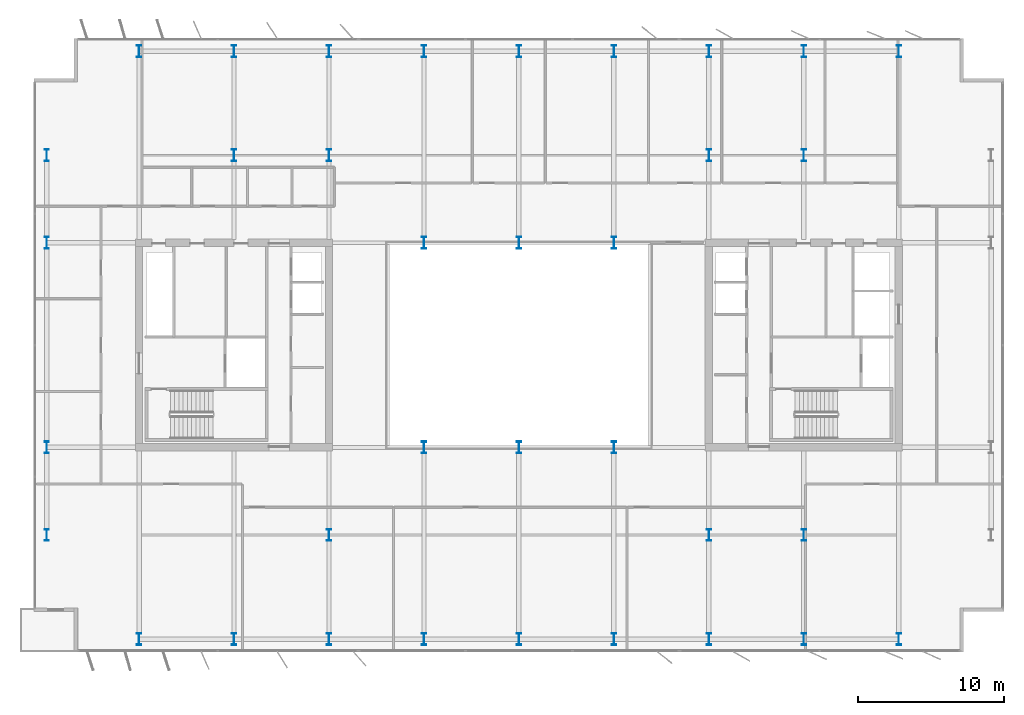
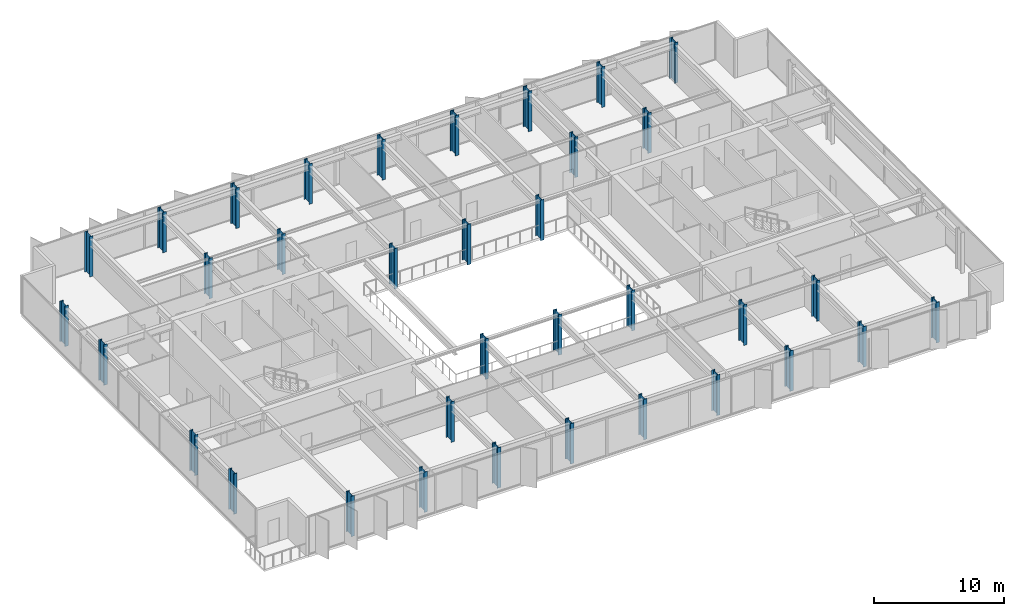
# One storey, part 1 of 23: 35 columns.
"""IFC4 building model written with IfcOpenShell, lengths in metres."""

from ifc_helpers import new_model, si_unit, direction, frame, origin, origin_2d, place, context, subcontext, project, spatial, i_section, extrude, material, material_profile, profile_set, type_object, element, save


model = new_model("IFC4")

# Units and contexts
model_context = context("Model", 3, precision=1e-05, world=origin(), true_north=direction((0.0, 1.0)))
body_context = subcontext(model_context, "Body", "Model", "MODEL_VIEW")
ifc_project = project(units=[si_unit("LENGTHUNIT", "METRE"), si_unit("AREAUNIT", "SQUARE_METRE"), si_unit("VOLUMEUNIT", "CUBIC_METRE"), si_unit("PLANEANGLEUNIT", "RADIAN"), si_unit("MASSUNIT", "GRAM", prefix="KILO")], contexts=[model_context])

# Site, building, storey
site_placement = place(None, origin())
site = spatial("IfcSite", under=ifc_project, at=site_placement, CompositionType="ELEMENT")
building_placement = place(site_placement, origin())
building = spatial("IfcBuilding", under=site, at=building_placement, Name="Putna Gate Headquarters", CompositionType="ELEMENT")
storey_placement = place(building_placement, frame((0.0, 0.0, 229.0)))
storey = spatial("IfcBuildingStorey", under=building, at=storey_placement, Name="L57", CompositionType="ELEMENT", Elevation=229.0)

# Columns
ifc_material = material(Name="Steel S460M", Category="steel")
ifc_material_profile_1 = material_profile(ifc_material, i_section(OverallWidth=0.302978515625, OverallDepth=0.81396484375, WebThickness=0.02099609375, FlangeThickness=0.0400390625, at=origin_2d()), Name="Steel S460M")
ifc_profile_set_1 = profile_set([ifc_material_profile_1], Name="Steel S460M")
column_type_1 = type_object("IfcColumnType", Name="COL-STL-HEM800-EXT", PredefinedType="COLUMN", material=ifc_profile_set_1)
for number, where, z_axis, x_axis, name in (
    (1, (13.0, 5.8798828125, 0.0), (0.0, 0.0, 1.0), (1.0, 0.0, 0.0), "L57 Column CP-S13"),
    (2, (13.0, 46.1201171875, 0.0), (0.0, 0.0, 1.0), (1.0, 0.0, 0.0), "L57 Column CP-N13"),
    (3, (19.5, 5.8798828125, 0.0), (0.0, 0.0, 1.0), (1.0, 0.0, 0.0), "L57 Column CP-S19"),
    (4, (19.5, 46.1201171875, 0.0), (0.0, 0.0, 1.0), (1.0, 0.0, 0.0), "L57 Column CP-N19"),
    (5, (26.0, 5.8798828125, 0.0), (0.0, 0.0, 1.0), (1.0, 0.0, 0.0), "L57 Column CP-S26"),
    (6, (26.0, 46.1201171875, 0.0), (0.0, 0.0, 1.0), (1.0, 0.0, 0.0), "L57 Column CP-N26"),
    (7, (32.5, 5.8798828125, 0.0), (0.0, 0.0, 1.0), (1.0, 0.0, 0.0), "L57 Column CP-S32"),
    (8, (32.5, 46.1201171875, 0.0), (0.0, 0.0, 1.0), (1.0, 0.0, 0.0), "L57 Column CP-N32"),
    (9, (39.0, 5.8798828125, 0.0), (0.0, 0.0, 1.0), (1.0, 0.0, 0.0), "L57 Column CP-S39"),
    (10, (39.0, 46.1201171875, 0.0), (0.0, 0.0, 1.0), (1.0, 0.0, 0.0), "L57 Column CP-N39"),
    (11, (45.5, 5.8798828125, 0.0), (0.0, 0.0, 1.0), (1.0, 0.0, 0.0), "L57 Column CP-S45"),
    (12, (45.5, 46.1201171875, 0.0), (0.0, 0.0, 1.0), (1.0, 0.0, 0.0), "L57 Column CP-N45"),
    (13, (52.0, 5.8798828125, 0.0), (0.0, 0.0, 1.0), (1.0, 0.0, 0.0), "L57 Column CP-S52"),
    (14, (52.0, 46.1201171875, 0.0), (0.0, 0.0, 1.0), (1.0, 0.0, 0.0), "L57 Column CP-N52"),
    (15, (58.5, 5.8798828125, 0.0), (0.0, 0.0, 1.0), (1.0, 0.0, 0.0), "L57 Column CP-S58"),
    (16, (58.5, 46.1201171875, 0.0), (0.0, 0.0, 1.0), (1.0, 0.0, 0.0), "L57 Column CP-N58"),
    (17, (65.0, 5.8798828125, 0.0), (0.0, 0.0, 1.0), (1.0, 0.0, 0.0), "L57 Column CP-S65"),
    (18, (65.0, 46.1201171875, 0.0), (0.0, 0.0, 1.0), (1.0, 0.0, 0.0), "L57 Column CP-N65"),
    (19, (6.679931640625, 13.0, 0.0), (0.0, 0.0, 1.0), (1.0, 0.0, 0.0), "L57 Column CP-W13"),
    (20, (6.679931640625, 19.0, 0.0), (0.0, 0.0, 1.0), (1.0, 0.0, 0.0), "L57 Column CP-W19"),
    (21, (6.679931640625, 33.0, 0.0), (0.0, 0.0, 1.0), (1.0, 0.0, 0.0), "L57 Column CP-W33"),
    (22, (6.679931640625, 39.0, 0.0), (0.0, 0.0, 1.0), (1.0, 0.0, 0.0), "L57 Column CP-W39"),
):
    element("IfcColumn", number, at=place(storey_placement, frame(where, z_axis=z_axis, x_axis=x_axis)), inside=storey, type_object=column_type_1, Name=name, PredefinedType="COLUMN", context=body_context, shape_type="SweptSolid", body=[
        extrude(i_section(OverallWidth=0.302978515625, OverallDepth=0.81396484375, WebThickness=0.02099609375, FlangeThickness=0.0400390625, at=origin_2d()), origin(), (0.0, 0.0, 1.0), 3.800048828125),
    ])
ifc_material_profile_2 = material_profile(ifc_material, i_section(OverallWidth=0.302978515625, OverallDepth=0.81396484375, WebThickness=0.02099609375, FlangeThickness=0.0400390625, at=origin_2d()), Name="Steel S460M")
ifc_profile_set_2 = profile_set([ifc_material_profile_2], Name="Steel S460M")
column_type_2 = type_object("IfcColumnType", Name="COL-STL-HEM800-INT", PredefinedType="COLUMN", material=ifc_profile_set_2)
for number, where, z_axis, x_axis, name in (
    (23, (19.5, 39.0, 0.0), (0.0, 0.0, 1.0), (1.0, 0.0, 0.0), "L57 Column CSI-WN"),
    (24, (58.5, 13.0, 0.0), (0.0, 0.0, 1.0), (1.0, 0.0, 0.0), "L57 Column CSI-ES"),
    (25, (58.5, 39.0, 0.0), (0.0, 0.0, 1.0), (1.0, 0.0, 0.0), "L57 Column CSI-EN"),
    (26, (32.5, 19.0, 0.0), (0.0, 0.0, 1.0), (1.0, 0.0, 0.0), "L57 Column CAI-S32"),
    (27, (32.5, 33.0, 0.0), (0.0, 0.0, 1.0), (1.0, 0.0, 0.0), "L57 Column CAI-N32"),
    (28, (39.0, 19.0, 0.0), (0.0, 0.0, 1.0), (1.0, 0.0, 0.0), "L57 Column CAI-S39"),
    (29, (39.0, 33.0, 0.0), (0.0, 0.0, 1.0), (1.0, 0.0, 0.0), "L57 Column CAI-N39"),
    (30, (45.5, 19.0, 0.0), (0.0, 0.0, 1.0), (1.0, 0.0, 0.0), "L57 Column CAI-S45"),
    (31, (45.5, 33.0, 0.0), (0.0, 0.0, 1.0), (1.0, 0.0, 0.0), "L57 Column CAI-N45"),
    (32, (26.0, 13.0, 0.0), (0.0, 0.0, 1.0), (1.0, 0.0, 0.0), "L57 Column CAP-WS"),
    (33, (26.0, 39.0, 0.0), (0.0, 0.0, 1.0), (1.0, 0.0, 0.0), "L57 Column CAP-WN"),
    (34, (52.0, 13.0, 0.0), (0.0, 0.0, 1.0), (1.0, 0.0, 0.0), "L57 Column CAP-ES"),
    (35, (52.0, 39.0, 0.0), (0.0, 0.0, 1.0), (1.0, 0.0, 0.0), "L57 Column CAP-EN"),
):
    element("IfcColumn", number, at=place(storey_placement, frame(where, z_axis=z_axis, x_axis=x_axis)), inside=storey, type_object=column_type_2, Name=name, PredefinedType="COLUMN", context=body_context, shape_type="SweptSolid", body=[
        extrude(i_section(OverallWidth=0.302978515625, OverallDepth=0.81396484375, WebThickness=0.02099609375, FlangeThickness=0.0400390625, at=origin_2d()), origin(), (0.0, 0.0, 1.0), 3.800048828125),
    ])

save(model, "model.ifc")
